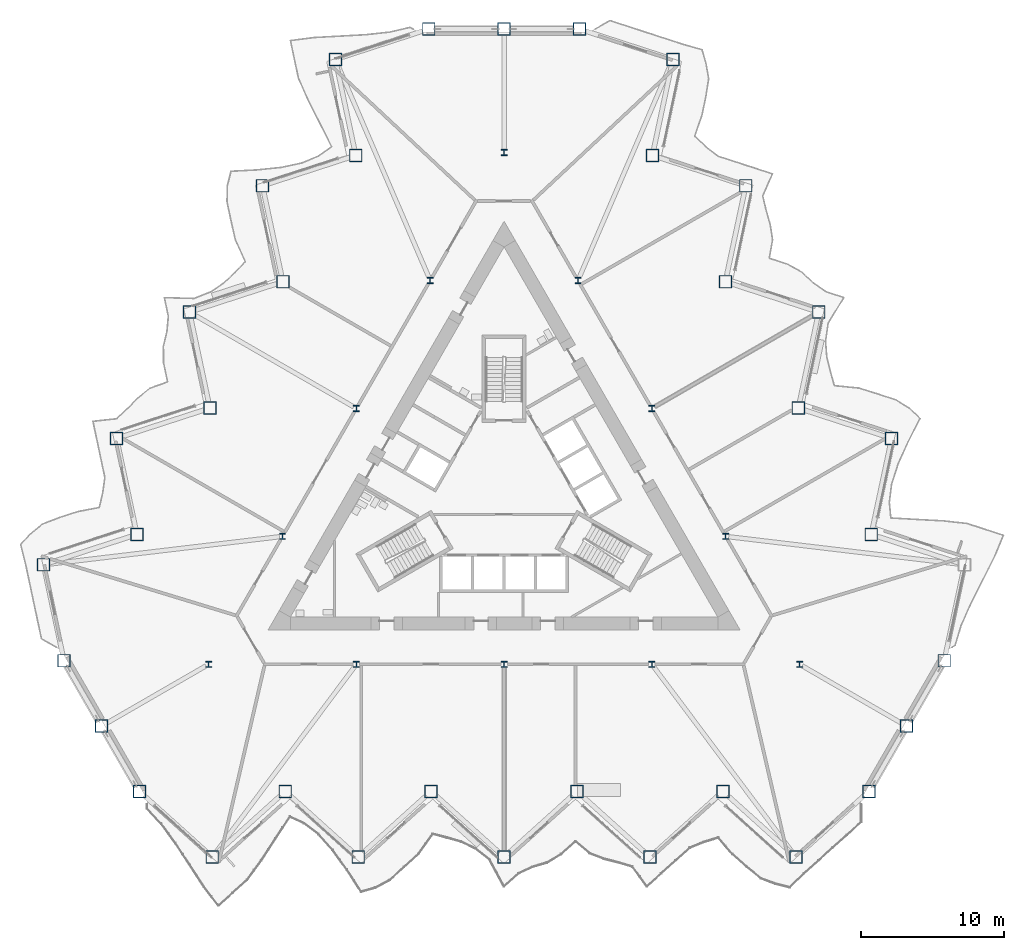
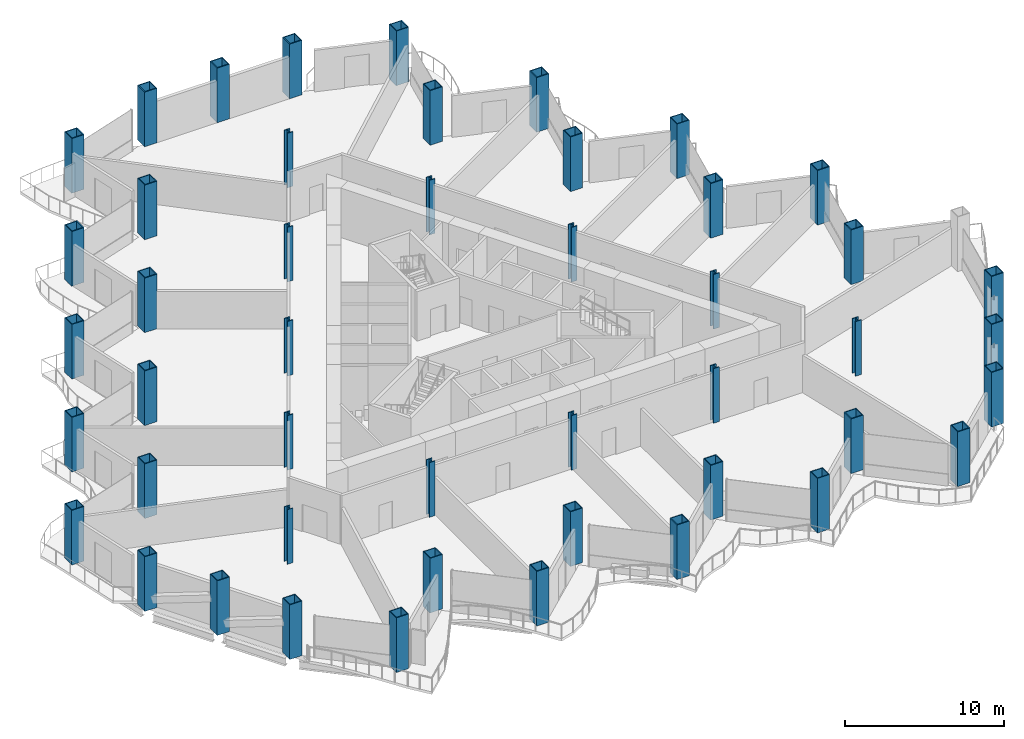
# One storey, part 1 of 21: 47 columns.
"""IFC4 building model written with IfcOpenShell, lengths in metres."""

from ifc_helpers import new_model, si_unit, direction, frame, origin, origin_2d, place, context, subcontext, project, spatial, hollow_rectangle, i_section, extrude, material, material_profile, profile_set, type_object, element, save


model = new_model("IFC4")

# Units and contexts
model_context = context("Model", 3, precision=1e-05, world=origin(), true_north=direction((0.0, 1.0)))
body_context = subcontext(model_context, "Body", "Model", "MODEL_VIEW")
ifc_project = project(units=[si_unit("LENGTHUNIT", "METRE"), si_unit("AREAUNIT", "SQUARE_METRE"), si_unit("VOLUMEUNIT", "CUBIC_METRE"), si_unit("PLANEANGLEUNIT", "RADIAN"), si_unit("MASSUNIT", "GRAM", prefix="KILO")], contexts=[model_context])

# Site, building, storey
site_placement = place(None, origin())
site = spatial("IfcSite", under=ifc_project, at=site_placement, CompositionType="ELEMENT")
building_placement = place(site_placement, origin())
building = spatial("IfcBuilding", under=site, at=building_placement, Name="Cormorant Prow Tower", CompositionType="ELEMENT")
storey_placement = place(building_placement, frame((0.0, 0.0, 108.0)))
storey = spatial("IfcBuildingStorey", under=building, at=storey_placement, Name="L22", CompositionType="ELEMENT", Elevation=108.0)

# Columns
ifc_material_1 = material(Name="Structural steel ASTM A572 Gr 50", Category="steel")
ifc_material_profile_1 = material_profile(ifc_material_1, hollow_rectangle(XDim=0.89990234375, YDim=0.89990234375, WallThickness=0.06005859375, at=origin_2d()), Name="Box 900x900x60")
ifc_profile_set_1 = profile_set([ifc_material_profile_1], Name="Structural steel ASTM A572 Gr 50")
column_type_1 = type_object("IfcColumnType", Name="Perimeter box column 900x900x60", PredefinedType="COLUMN", material=ifc_profile_set_1)
for number, where, z_axis, x_axis, name in (
    (1, (-25.499755859375, -20.80712890625, 0.0), (0.0, 0.0, 1.0), (1.0, 0.0, 0.0), "Perimeter column C3 at S00 L22"),
    (2, (-20.399658203125, -25.399169921875, 0.0), (0.0, 0.0, 1.0), (1.0, 0.0, 0.0), "Perimeter column C3 at S01 L22"),
    (3, (-15.2998046875, -20.80712890625, 0.0), (0.0, 0.0, 1.0), (1.0, 0.0, 0.0), "Perimeter column C3 at S02 L22"),
    (4, (-10.199951171875, -25.399169921875, 0.0), (0.0, 0.0, 1.0), (1.0, 0.0, 0.0), "Perimeter column C3 at S03 L22"),
    (5, (-5.099853515625, -20.80712890625, 0.0), (0.0, 0.0, 1.0), (1.0, 0.0, 0.0), "Perimeter column C3 at S04 L22"),
    (6, (0.0, -25.399169921875, 0.0), (0.0, 0.0, 1.0), (1.0, 0.0, 0.0), "Perimeter column C3 at S05 L22"),
    (7, (5.099853515625, -20.80712890625, 0.0), (0.0, 0.0, 1.0), (1.0, 0.0, 0.0), "Perimeter column C3 at S06 L22"),
    (8, (10.199951171875, -25.399169921875, 0.0), (0.0, 0.0, 1.0), (1.0, 0.0, 0.0), "Perimeter column C3 at S07 L22"),
    (9, (15.2998046875, -20.80712890625, 0.0), (0.0, 0.0, 1.0), (1.0, 0.0, 0.0), "Perimeter column C3 at S08 L22"),
    (10, (20.399658203125, -25.399169921875, 0.0), (0.0, 0.0, 1.0), (1.0, 0.0, 0.0), "Perimeter column C3 at S09 L22"),
    (11, (25.499755859375, -20.80712890625, 0.0), (0.0, 0.0, 1.0), (1.0, 0.0, 0.0), "Perimeter column C3 at ESE00 L22"),
    (12, (28.134521484375, -16.243408203125, 0.0), (0.0, 0.0, 1.0), (1.0, 0.0, 0.0), "Perimeter column C3 at ESE01 L22"),
    (13, (30.769287109375, -11.679931640625, 0.0), (0.0, 0.0, 1.0), (1.0, 0.0, 0.0), "Perimeter column C3 at ENE00 L22"),
    (14, (25.66943359375, -2.846435546875, 0.0), (0.0, 0.0, 1.0), (1.0, 0.0, 0.0), "Perimeter column C3 at ENE02 L22"),
    (15, (27.09619140625, 3.8662109375, 0.0), (0.0, 0.0, 1.0), (1.0, 0.0, 0.0), "Perimeter column C3 at ENE03 L22"),
    (16, (20.569580078125, 5.98681640625, 0.0), (0.0, 0.0, 1.0), (1.0, 0.0, 0.0), "Perimeter column C3 at ENE04 L22"),
    (17, (21.996337890625, 12.699462890625, 0.0), (0.0, 0.0, 1.0), (1.0, 0.0, 0.0), "Perimeter column C3 at ENE05 L22"),
    (18, (15.469482421875, 14.8203125, 0.0), (0.0, 0.0, 1.0), (1.0, 0.0, 0.0), "Perimeter column C3 at ENE06 L22"),
    (19, (16.896240234375, 21.532958984375, 0.0), (0.0, 0.0, 1.0), (1.0, 0.0, 0.0), "Perimeter column C3 at ENE07 L22"),
    (20, (10.36962890625, 23.653564453125, 0.0), (0.0, 0.0, 1.0), (1.0, 0.0, 0.0), "Perimeter column C3 at ENE08 L22"),
    (21, (11.79638671875, 30.3662109375, 0.0), (0.0, 0.0, 1.0), (1.0, 0.0, 0.0), "Perimeter column C3 at ENE09 L22"),
    (22, (5.269775390625, 32.487060546875, 0.0), (0.0, 0.0, 1.0), (1.0, 0.0, 0.0), "Perimeter column C3 at N00 L22"),
    (23, (0.0, 32.487060546875, 0.0), (0.0, 0.0, 1.0), (1.0, 0.0, 0.0), "Perimeter column C3 at N01 L22"),
    (24, (-5.269775390625, 32.487060546875, 0.0), (0.0, 0.0, 1.0), (1.0, 0.0, 0.0), "Perimeter column C3 at WNW00 L22"),
    (25, (-11.79638671875, 30.3662109375, 0.0), (0.0, 0.0, 1.0), (1.0, 0.0, 0.0), "Perimeter column C3 at WNW01 L22"),
    (26, (-10.36962890625, 23.653564453125, 0.0), (0.0, 0.0, 1.0), (1.0, 0.0, 0.0), "Perimeter column C3 at WNW02 L22"),
    (27, (-16.896240234375, 21.532958984375, 0.0), (0.0, 0.0, 1.0), (1.0, 0.0, 0.0), "Perimeter column C3 at WNW03 L22"),
    (28, (-15.469482421875, 14.8203125, 0.0), (0.0, 0.0, 1.0), (1.0, 0.0, 0.0), "Perimeter column C3 at WNW04 L22"),
    (29, (-21.996337890625, 12.699462890625, 0.0), (0.0, 0.0, 1.0), (1.0, 0.0, 0.0), "Perimeter column C3 at WNW05 L22"),
    (30, (-20.569580078125, 5.98681640625, 0.0), (0.0, 0.0, 1.0), (1.0, 0.0, 0.0), "Perimeter column C3 at WNW06 L22"),
    (31, (-27.09619140625, 3.8662109375, 0.0), (0.0, 0.0, 1.0), (1.0, 0.0, 0.0), "Perimeter column C3 at WNW07 L22"),
    (32, (-25.66943359375, -2.846435546875, 0.0), (0.0, 0.0, 1.0), (1.0, 0.0, 0.0), "Perimeter column C3 at WNW08 L22"),
    (33, (-32.1962890625, -4.967041015625, 0.0), (0.0, 0.0, 1.0), (1.0, 0.0, 0.0), "Perimeter column C3 at WNW09 L22"),
    (34, (-30.769287109375, -11.679931640625, 0.0), (0.0, 0.0, 1.0), (1.0, 0.0, 0.0), "Perimeter column C3 at WSW00 L22"),
    (35, (-28.134521484375, -16.243408203125, 0.0), (0.0, 0.0, 1.0), (1.0, 0.0, 0.0), "Perimeter column C3 at WSW01 L22"),
):
    element("IfcColumn", number, at=place(storey_placement, frame(where, z_axis=z_axis, x_axis=x_axis)), inside=storey, type_object=column_type_1, Name=name, PredefinedType="COLUMN", context=body_context, shape_type="SweptSolid", body=[
        extrude(hollow_rectangle(XDim=0.89990234375, YDim=0.89990234375, WallThickness=0.06005859375, at=origin_2d()), origin(), (0.0, 0.0, 1.0), 4.199951171875),
    ])
ifc_material_2 = material(Name="Structural steel ASTM A992 Gr 50", Category="steel")
ifc_material_profile_2 = material_profile(ifc_material_2, i_section(OverallWidth=0.412109375, OverallDepth=0.434814453125, WebThickness=0.035888671875, FlangeThickness=0.057373046875, at=origin_2d()), Name="W14x311")
ifc_profile_set_2 = profile_set([ifc_material_profile_2], Name="Structural steel ASTM A992 Gr 50")
column_type_2 = type_object("IfcColumnType", Name="Ring column W14x311", PredefinedType="COLUMN", material=ifc_profile_set_2)
for number, where, z_axis, x_axis, name in (
    (36, (0.0, 23.8525390625, 0.0), (0.0, 0.0, 1.0), (1.0, 0.0, 0.0), "Ring column 1 L22"),
    (37, (-5.164306640625, 14.907958984375, 0.0), (0.0, 0.0, 1.0), (1.0, 0.0, 0.0), "Ring column 2 L22"),
    (38, (-10.328369140625, 5.963134765625, 0.0), (0.0, 0.0, 1.0), (1.0, 0.0, 0.0), "Ring column 3 L22"),
    (39, (-15.49267578125, -2.981689453125, 0.0), (0.0, 0.0, 1.0), (1.0, 0.0, 0.0), "Ring column 4 L22"),
    (40, (-20.656982421875, -11.92626953125, 0.0), (0.0, 0.0, 1.0), (1.0, 0.0, 0.0), "Ring column 5 L22"),
    (41, (-10.328369140625, -11.92626953125, 0.0), (0.0, 0.0, 1.0), (1.0, 0.0, 0.0), "Ring column 6 L22"),
    (42, (0.0, -11.92626953125, 0.0), (0.0, 0.0, 1.0), (1.0, 0.0, 0.0), "Ring column 7 L22"),
    (43, (10.328369140625, -11.92626953125, 0.0), (0.0, 0.0, 1.0), (1.0, 0.0, 0.0), "Ring column 8 L22"),
    (44, (20.656982421875, -11.92626953125, 0.0), (0.0, 0.0, 1.0), (1.0, 0.0, 0.0), "Ring column 9 L22"),
    (45, (15.49267578125, -2.981689453125, 0.0), (0.0, 0.0, 1.0), (1.0, 0.0, 0.0), "Ring column 10 L22"),
    (46, (10.328369140625, 5.963134765625, 0.0), (0.0, 0.0, 1.0), (1.0, 0.0, 0.0), "Ring column 11 L22"),
    (47, (5.164306640625, 14.907958984375, 0.0), (0.0, 0.0, 1.0), (1.0, 0.0, 0.0), "Ring column 12 L22"),
):
    element("IfcColumn", number, at=place(storey_placement, frame(where, z_axis=z_axis, x_axis=x_axis)), inside=storey, type_object=column_type_2, Name=name, PredefinedType="COLUMN", context=body_context, shape_type="SweptSolid", body=[
        extrude(i_section(OverallWidth=0.412109375, OverallDepth=0.434814453125, WebThickness=0.035888671875, FlangeThickness=0.057373046875, at=origin_2d()), origin(), (0.0, 0.0, 1.0), 4.199951171875),
    ])

save(model, "model.ifc")
